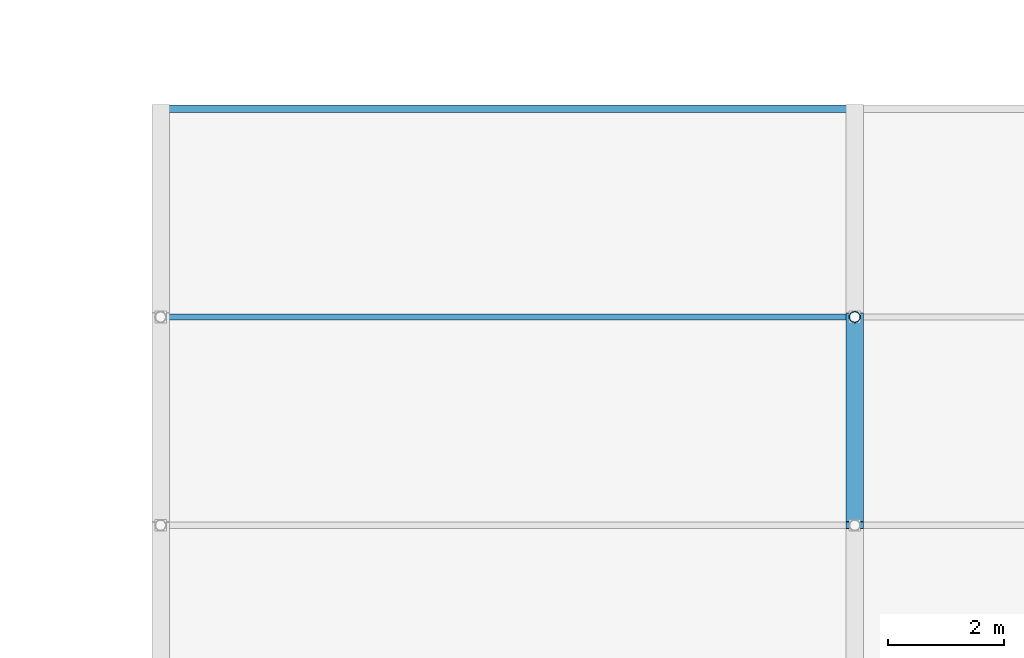
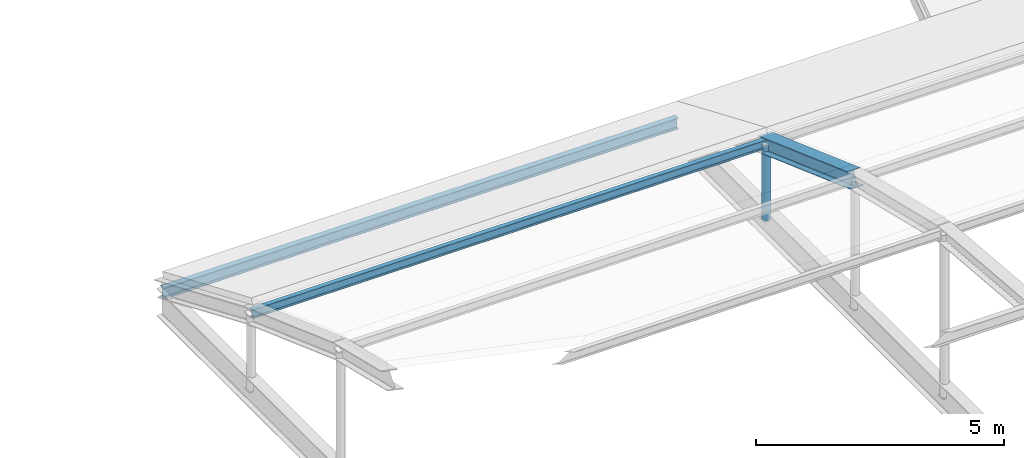
# One storey, part 153 of 239: 3 members, 1 beam.
"""IFC4 building model written with IfcOpenShell, lengths in metres."""

from ifc_helpers import new_model, si_unit, direction, frame, origin, origin_2d, place, context, subcontext, project, spatial, hollow_circle, i_section, extrude, material, material_profile, profile_set, type_object, element, save


model = new_model("IFC4")

# Units and contexts
model_context = context("Model", 3, precision=1e-05, world=origin(), true_north=direction((0.0, 1.0)))
body_context = subcontext(model_context, "Body", "Model", "MODEL_VIEW")
ifc_project = project(units=[si_unit("LENGTHUNIT", "METRE"), si_unit("AREAUNIT", "SQUARE_METRE"), si_unit("VOLUMEUNIT", "CUBIC_METRE"), si_unit("PLANEANGLEUNIT", "RADIAN"), si_unit("MASSUNIT", "GRAM", prefix="KILO")], contexts=[model_context])

# Site, building, storey
site_placement = place(None, origin())
site = spatial("IfcSite", under=ifc_project, at=site_placement, CompositionType="ELEMENT")
building_placement = place(site_placement, origin())
building = spatial("IfcBuilding", under=site, at=building_placement, Name="Dunvalen Ferry Terminal", CompositionType="ELEMENT")
storey_placement = place(building_placement, frame((0.0, 0.0, 9.840087890625)))
storey = spatial("IfcBuildingStorey", under=building, at=storey_placement, Name="L02", CompositionType="ELEMENT", Elevation=9.840087890625)

# Beam
ifc_material = material(Name="Steel S355", Category="steel")
ifc_material_profile_1 = material_profile(ifc_material, i_section(OverallWidth=0.300048828125, OverallDepth=0.389892578125, WebThickness=0.010986328125, FlangeThickness=0.01904296875, FilletRadius=0.027099609375, at=origin_2d()), Name="Steel S355")
ifc_profile_set_1 = profile_set([ifc_material_profile_1], Name="Steel S355")
beam_type = type_object("IfcBeamType", Name="STR-BM-HEA400", PredefinedType="BEAM", material=ifc_profile_set_1)
beam_placement = place(storey_placement, frame((120.0, 79.199951171875, 2.828369140625), z_axis=(0.0, 0.940736051004, -0.33913962072), x_axis=(-1.0, 0.0, 0.0)))
element("IfcBeam", 1, at=beam_placement, inside=storey, type_object=beam_type, Name="Arrivals Hall Barrel-Vault Arch Rib 02.7", PredefinedType="BEAM", context=body_context, shape_type="SweptSolid", body=[
    extrude(i_section(OverallWidth=0.300048828125, OverallDepth=0.389892578125, WebThickness=0.010986328125, FlangeThickness=0.01904296875, FilletRadius=0.027099609375, at=origin_2d()), origin(), (0.0, 0.0, 1.0), 3.826904296875),
])

# Members
ifc_material_profile_2 = material_profile(ifc_material, hollow_circle(Radius=0.096923828125, WallThickness=0.008056640625, at=origin_2d()), Name="Steel S355")
ifc_profile_set_2 = profile_set([ifc_material_profile_2], Name="Steel S355")
member_type_1 = type_object("IfcMemberType", Name="STR-MB-CHS193", PredefinedType="STRUT", material=ifc_profile_set_2)
member_1_placement = place(storey_placement, frame((120.0, 82.800048828125, -0.340087890625), z_axis=(0.0, 0.0, 1.0), x_axis=(1.0, 0.0, 0.0)))
element("IfcMember", 2, at=member_1_placement, inside=storey, type_object=member_type_1, Name="Arrivals Hall Vault Hanger 02.7", PredefinedType="STRUT", context=body_context, shape_type="SweptSolid", body=[
    extrude(hollow_circle(Radius=0.096923828125, WallThickness=0.008056640625, at=origin_2d()), origin(), (0.0, 0.0, 1.0), 1.87060546875),
])
ifc_material_profile_3 = material_profile(ifc_material, i_section(OverallWidth=0.110107421875, OverallDepth=0.219970703125, WebThickness=0.005859375, FlangeThickness=0.00927734375, FilletRadius=0.011962890625, at=origin_2d()), Name="Steel S355")
ifc_profile_set_3 = profile_set([ifc_material_profile_3], Name="Steel S355")
member_type_2 = type_object("IfcMemberType", Name="STR-MB-IPE220", PredefinedType="PURLIN", material=ifc_profile_set_3)
member_2_placement = place(storey_placement, frame((108.0, 82.800048828125, 1.530517578125), z_axis=(1.0, 0.0, 0.0), x_axis=(0.0, 1.0, 0.0)))
element("IfcMember", 3, at=member_2_placement, inside=storey, type_object=member_type_2, Name="Arrivals Hall Barrel-Vault Purlin 1.8", PredefinedType="PURLIN", context=body_context, shape_type="SweptSolid", body=[
    extrude(i_section(OverallWidth=0.110107421875, OverallDepth=0.219970703125, WebThickness=0.005859375, FlangeThickness=0.00927734375, FilletRadius=0.011962890625, at=origin_2d()), origin(), (0.0, 0.0, 1.0), 12.0),
])
ifc_material_profile_4 = material_profile(ifc_material, i_section(OverallWidth=0.135009765625, OverallDepth=0.27001953125, WebThickness=0.006591796875, FlangeThickness=0.01025390625, FilletRadius=0.014892578125, at=origin_2d()), Name="Steel S355")
ifc_profile_set_4 = profile_set([ifc_material_profile_4], Name="Steel S355")
member_type_3 = type_object("IfcMemberType", Name="STR-MB-IPE270", PredefinedType="PURLIN", material=ifc_profile_set_4)
member_3_placement = place(storey_placement, frame((108.0, 86.39990234375, -0.14013671875), z_axis=(1.0, 0.0, 0.0), x_axis=(0.0, 1.0, 0.0)))
element("IfcMember", 4, at=member_3_placement, inside=storey, type_object=member_type_3, Name="Arrivals Hall Barrel-Vault Purlin 1.9", PredefinedType="PURLIN", context=body_context, shape_type="SweptSolid", body=[
    extrude(i_section(OverallWidth=0.135009765625, OverallDepth=0.27001953125, WebThickness=0.006591796875, FlangeThickness=0.01025390625, FilletRadius=0.014892578125, at=origin_2d()), origin(), (0.0, 0.0, 1.0), 12.0),
])

save(model, "model.ifc")
